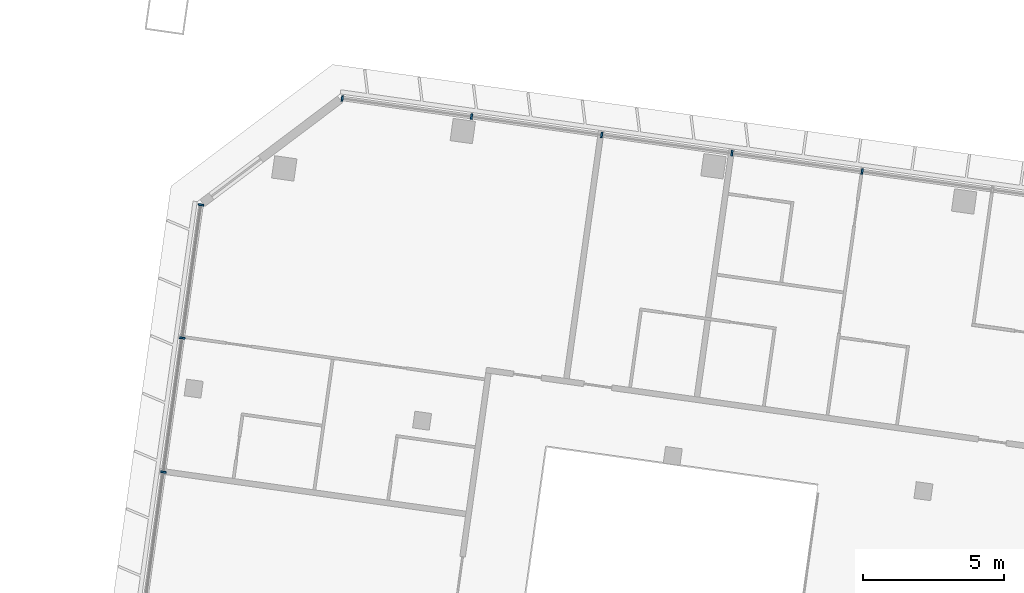
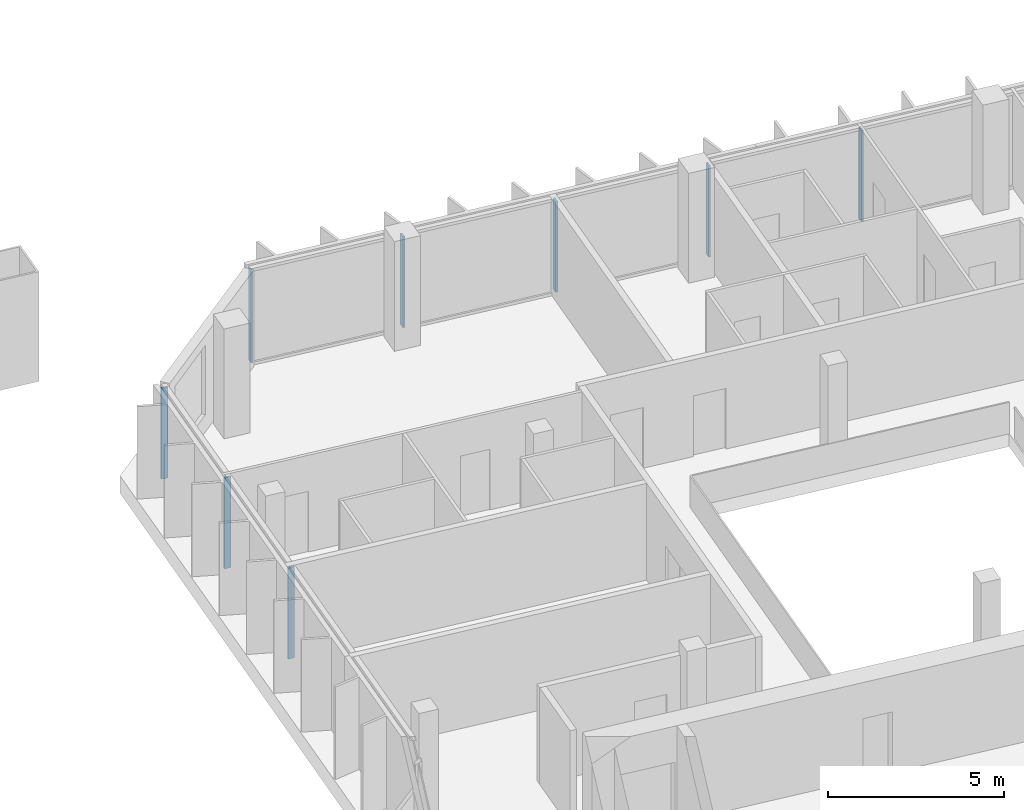
# One storey, part 4 of 22: 8 members, 2 elements without a shape of their own.
"""IFC4 building model written with IfcOpenShell, lengths in metres."""

from ifc_helpers import new_model, si_unit, direction, frame, origin, origin_2d, place, context, subcontext, project, spatial, rectangle, extrude, material, material_profile, profile_set, type_object, element, aggregate, save


model = new_model("IFC4")

# Units and contexts
model_context = context("Model", 3, precision=1e-05, world=origin(), true_north=direction((0.0, 1.0)))
body_context = subcontext(model_context, "Body", "Model", "MODEL_VIEW")
ifc_project = project(units=[si_unit("LENGTHUNIT", "METRE"), si_unit("AREAUNIT", "SQUARE_METRE"), si_unit("VOLUMEUNIT", "CUBIC_METRE"), si_unit("PLANEANGLEUNIT", "RADIAN"), si_unit("MASSUNIT", "GRAM", prefix="KILO")], contexts=[model_context])

# Site, building, storey
site_placement = place(None, origin())
site = spatial("IfcSite", under=ifc_project, at=site_placement, CompositionType="ELEMENT")
building_placement = place(site_placement, origin())
building = spatial("IfcBuilding", under=site, at=building_placement, Name="Mirante Cascada Hotel Towers", CompositionType="ELEMENT")
storey_placement = place(building_placement, frame((0.0, 0.0, 191.6)))
storey = spatial("IfcBuildingStorey", under=building, at=storey_placement, Name="L45", CompositionType="ELEMENT", Elevation=191.6)

# Curtain wall, members
ifc_material_1 = material(Name="Aluminium mullion and transom frame with clear laminated glass", Category="aluminium")
curtain_wall_type_1 = type_object("IfcCurtainWallType", Name="Ribbon curtain wall ECW1", PredefinedType="NOTDEFINED", material=ifc_material_1)
curtain_wall_1_placement = place(storey_placement, origin())
curtain_wall_1 = element("IfcCurtainWall", 1, at=curtain_wall_1_placement, inside=storey, type_object=curtain_wall_type_1, Name="Front ribbon wall T1 L45", PredefinedType="NOTDEFINED")
ifc_material_2 = material(Name="Anodised aluminium extrusion", Category="aluminium")
ifc_material_profile_1 = material_profile(ifc_material_2, rectangle(XDim=0.2, YDim=0.065, at=origin_2d()), Name="ECW1 MULLION 65x200")
ifc_profile_set_1 = profile_set([ifc_material_profile_1], Name="Anodised aluminium extrusion")
member_type_1 = type_object("IfcMemberType", Name="ECW1 mullion 65x200", PredefinedType="MULLION", material=ifc_profile_set_1)
member_1_placement = place(storey_placement, frame((-76.3011, 23.5425, 0.1), z_axis=(0.0, 0.0, 1.0), x_axis=(0.1391731, 0.9902681, 0.0)))
member_1 = element("IfcMember", 2, at=member_1_placement, type_object=member_type_1, Name="ECW1 mullion 1", PredefinedType="MULLION", context=body_context, shape_type="SweptSolid", body=[
    extrude(rectangle(XDim=0.2, YDim=0.065, at=origin_2d()), origin(), (0.0, 0.0, 1.0), 3.15),
])
member_2_placement = place(storey_placement, frame((-71.7043, 22.8964, 0.1), z_axis=(0.0, 0.0, 1.0), x_axis=(0.1391731, 0.9902681, 0.0)))
member_2 = element("IfcMember", 3, at=member_2_placement, type_object=member_type_1, Name="ECW1 mullion 2", PredefinedType="MULLION", context=body_context, shape_type="SweptSolid", body=[
    extrude(rectangle(XDim=0.2, YDim=0.065, at=origin_2d()), origin(), (0.0, 0.0, 1.0), 3.15),
])
member_3_placement = place(storey_placement, frame((-67.0753, 22.2459, 0.1), z_axis=(0.0, 0.0, 1.0), x_axis=(0.1391731, 0.9902681, 0.0)))
member_3 = element("IfcMember", 4, at=member_3_placement, type_object=member_type_1, Name="ECW1 mullion 3", PredefinedType="MULLION", context=body_context, shape_type="SweptSolid", body=[
    extrude(rectangle(XDim=0.2, YDim=0.065, at=origin_2d()), origin(), (0.0, 0.0, 1.0), 3.15),
])
member_4_placement = place(storey_placement, frame((-62.4464, 21.5953, 0.1), z_axis=(0.0, 0.0, 1.0), x_axis=(0.1391731, 0.9902681, 0.0)))
member_4 = element("IfcMember", 5, at=member_4_placement, type_object=member_type_1, Name="ECW1 mullion 4", PredefinedType="MULLION", context=body_context, shape_type="SweptSolid", body=[
    extrude(rectangle(XDim=0.2, YDim=0.065, at=origin_2d()), origin(), (0.0, 0.0, 1.0), 3.15),
])
member_5_placement = place(storey_placement, frame((-57.8174, 20.9447, 0.1), z_axis=(0.0, 0.0, 1.0), x_axis=(0.1391731, 0.9902681, 0.0)))
member_5 = element("IfcMember", 6, at=member_5_placement, type_object=member_type_1, Name="ECW1 mullion 5", PredefinedType="MULLION", context=body_context, shape_type="SweptSolid", body=[
    extrude(rectangle(XDim=0.2, YDim=0.065, at=origin_2d()), origin(), (0.0, 0.0, 1.0), 3.15),
])
aggregate(curtain_wall_1, [member_1, member_2, member_3, member_4, member_5])

ifc_material_3 = material(Name="Aluminium mullion and transom frame with clear laminated glass", Category="aluminium")
curtain_wall_type_2 = type_object("IfcCurtainWallType", Name="End ribbon curtain wall ECW2", PredefinedType="NOTDEFINED", material=ifc_material_3)
curtain_wall_2_placement = place(storey_placement, origin())
curtain_wall_2 = element("IfcCurtainWall", 7, at=curtain_wall_2_placement, inside=storey, type_object=curtain_wall_type_2, Name="Outer end wall T1 L45", PredefinedType="NOTDEFINED")
ifc_material_4 = material(Name="Anodised aluminium extrusion", Category="aluminium")
ifc_material_profile_2 = material_profile(ifc_material_4, rectangle(XDim=0.2, YDim=0.065, at=origin_2d()), Name="ECW2 MULLION 65x200")
ifc_profile_set_2 = profile_set([ifc_material_profile_2], Name="Anodised aluminium extrusion")
member_type_2 = type_object("IfcMemberType", Name="ECW2 mullion 65x200", PredefinedType="MULLION", material=ifc_profile_set_2)
member_6_placement = place(storey_placement, frame((-82.6561, 10.2603, 0.1), z_axis=(0.0, 0.0, 1.0), x_axis=(-0.9902681, 0.1391731, 0.0)))
member_6 = element("IfcMember", 8, at=member_6_placement, type_object=member_type_2, Name="ECW2 mullion 5", PredefinedType="MULLION", context=body_context, shape_type="SweptSolid", body=[
    extrude(rectangle(XDim=0.2, YDim=0.065, at=origin_2d()), origin(), (0.0, 0.0, 1.0), 3.15),
])
member_7_placement = place(storey_placement, frame((-81.9864, 15.026, 0.1), z_axis=(0.0, 0.0, 1.0), x_axis=(-0.9902681, 0.1391731, 0.0)))
member_7 = element("IfcMember", 9, at=member_7_placement, type_object=member_type_2, Name="ECW2 mullion 6", PredefinedType="MULLION", context=body_context, shape_type="SweptSolid", body=[
    extrude(rectangle(XDim=0.2, YDim=0.065, at=origin_2d()), origin(), (0.0, 0.0, 1.0), 3.15),
])
member_8_placement = place(storey_placement, frame((-81.3211, 19.7596, 0.1), z_axis=(0.0, 0.0, 1.0), x_axis=(-0.9902681, 0.1391731, 0.0)))
member_8 = element("IfcMember", 10, at=member_8_placement, type_object=member_type_2, Name="ECW2 mullion 7", PredefinedType="MULLION", context=body_context, shape_type="SweptSolid", body=[
    extrude(rectangle(XDim=0.2, YDim=0.065, at=origin_2d()), origin(), (0.0, 0.0, 1.0), 3.15),
])
aggregate(curtain_wall_2, [member_6, member_7, member_8])

save(model, "model.ifc")
